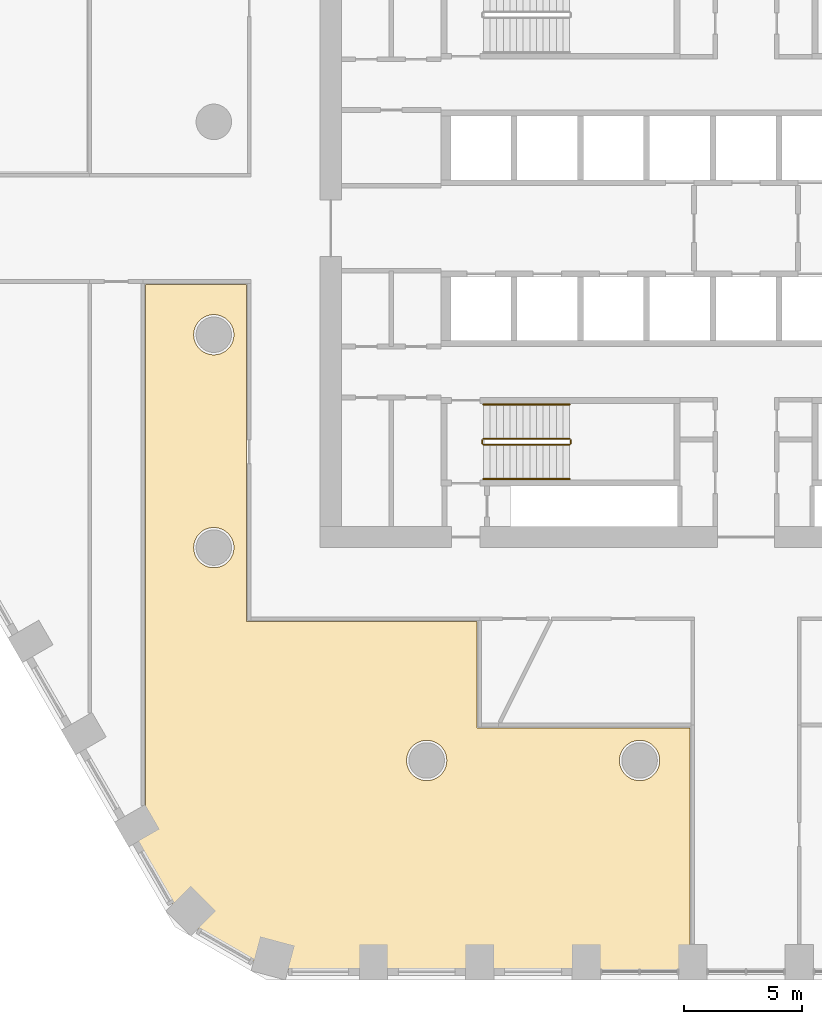
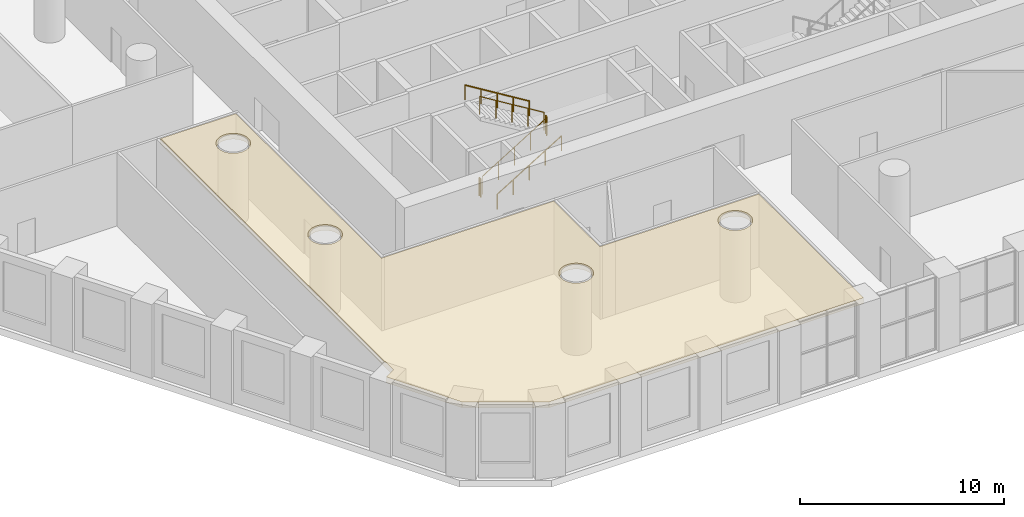
# One storey, part 16 of 21: 6 railings, 1 covering.
"""IFC4 building model written with IfcOpenShell, lengths in metres."""

from ifc_helpers import new_model, si_unit, direction, frame, origin, origin_2d, place, context, subcontext, project, spatial, polyline, circle, outline, extrude, material, layer, layer_set, type_object, element, save


model = new_model("IFC4")

# Units and contexts
model_context = context("Model", 3, precision=1e-05, world=origin(), true_north=direction((0.0, 1.0)))
body_context = subcontext(model_context, "Body", "Model", "MODEL_VIEW")
ifc_project = project(units=[si_unit("LENGTHUNIT", "METRE"), si_unit("AREAUNIT", "SQUARE_METRE"), si_unit("VOLUMEUNIT", "CUBIC_METRE"), si_unit("PLANEANGLEUNIT", "RADIAN"), si_unit("MASSUNIT", "GRAM", prefix="KILO")], contexts=[model_context])

# Site, building, storey
site_placement = place(None, origin())
site = spatial("IfcSite", under=ifc_project, at=site_placement, CompositionType="ELEMENT")
building_placement = place(site_placement, origin())
building = spatial("IfcBuilding", under=site, at=building_placement, Name="Dhurran Vertical Campus", CompositionType="ELEMENT")
storey_placement = place(building_placement, frame((0.0, 0.0, 20.39990234375)))
storey = spatial("IfcBuildingStorey", under=building, at=storey_placement, Name="L04", CompositionType="ELEMENT", Elevation=20.39990234375)

# Railings
ifc_material_1 = material(Name="Stainless steel balustrade", Category="steel")
railing_type_1 = type_object("IfcRailingType", Name="co-RL-GUARD-1100", PredefinedType="GUARDRAIL", material=ifc_material_1)
railing_1_placement = place(storey_placement, frame((-11.10009765625, -9.14990234375, 0.171630859375)))
element("IfcRailing", 1, at=railing_1_placement, inside=storey, type_object=railing_type_1, Name="L04 ST3 stair guard 1", PredefinedType="GUARDRAIL", context=body_context, shape_type="SweptSolid", body=[
    extrude(circle(Radius=0.02392578125, at=origin_2d()), frame((0.0, 0.0, 1.076171875), z_axis=(0.852865859571, 0.0, 0.52213008492), x_axis=(0.0, 1.0, 0.0)), (0.0, 0.0, 1.0), 4.26806640625),
    extrude(circle(Radius=0.02099609375, at=origin_2d()), origin(), (0.0, 0.0, 1.0), 1.052001953125),
    extrude(circle(Radius=0.02099609375, at=origin_2d()), frame((0.91015625, 0.0, 0.55712890625)), (0.0, 0.0, 1.0), 1.052001953125),
    extrude(circle(Radius=0.02099609375, at=origin_2d()), frame((1.820068359375, 0.0, 1.1142578125)), (0.0, 0.0, 1.0), 1.052001953125),
    extrude(circle(Radius=0.02099609375, at=origin_2d()), frame((2.72998046875, 0.0, 1.67138671875)), (0.0, 0.0, 1.0), 1.052001953125),
    extrude(circle(Radius=0.02099609375, at=origin_2d()), frame((3.64013671875, 0.0, 2.228515625)), (0.0, 0.0, 1.0), 1.052001953125),
])
railing_2_placement = place(storey_placement, frame((-7.409912109375, -9.10009765625, 2.400146484375)))
element("IfcRailing", 2, at=railing_2_placement, inside=storey, type_object=railing_type_1, Name="L04 ST3 stair guard 2", PredefinedType="GUARDRAIL", context=body_context, shape_type="SweptSolid", body=[
    extrude(circle(Radius=0.02392578125, at=origin_2d()), frame((0.0, 0.0, 1.076171875), z_axis=(0.0, 1.0, 0.0), x_axis=(-1.0, 0.0, 0.0)), (0.0, 0.0, 1.0), 0.150146484375),
    extrude(circle(Radius=0.02099609375, at=origin_2d()), origin(), (0.0, 0.0, 1.0), 1.052001953125),
    extrude(circle(Radius=0.02099609375, at=origin_2d()), frame((0.0, 0.150146484375, 0.0)), (0.0, 0.0, 1.0), 1.052001953125),
])
railing_3_placement = place(storey_placement, frame((-7.4599609375, -8.89990234375, 2.571533203125)))
element("IfcRailing", 3, at=railing_3_placement, inside=storey, type_object=railing_type_1, Name="L04 ST3 stair guard 3", PredefinedType="GUARDRAIL", context=body_context, shape_type="SweptSolid", body=[
    extrude(circle(Radius=0.02392578125, at=origin_2d()), frame((0.0, 0.0, 1.076171875), z_axis=(-0.852865859571, 0.0, 0.52213008492), x_axis=(0.0, -1.0, 0.0)), (0.0, 0.0, 1.0), 4.26806640625),
    extrude(circle(Radius=0.02099609375, at=origin_2d()), origin(), (0.0, 0.0, 1.0), 1.052001953125),
    extrude(circle(Radius=0.02099609375, at=origin_2d()), frame((-0.91015625, 0.0, 0.55712890625)), (0.0, 0.0, 1.0), 1.052001953125),
    extrude(circle(Radius=0.02099609375, at=origin_2d()), frame((-1.820068359375, 0.0, 1.1142578125)), (0.0, 0.0, 1.0), 1.052001953125),
    extrude(circle(Radius=0.02099609375, at=origin_2d()), frame((-2.72998046875, 0.0, 1.67138671875)), (0.0, 0.0, 1.0), 1.052001953125),
    extrude(circle(Radius=0.02099609375, at=origin_2d()), frame((-3.64013671875, 0.0, 2.228515625)), (0.0, 0.0, 1.0), 1.052001953125),
])
railing_4_placement = place(storey_placement, frame((-11.14990234375, -9.10009765625, 0.0)))
element("IfcRailing", 4, at=railing_4_placement, inside=storey, type_object=railing_type_1, Name="L04 ST3 stair guard 4", PredefinedType="GUARDRAIL", context=body_context, shape_type="SweptSolid", body=[
    extrude(circle(Radius=0.02392578125, at=origin_2d()), frame((0.0, 0.0, 1.076171875), z_axis=(0.0, 1.0, 0.0), x_axis=(-1.0, 0.0, 0.0)), (0.0, 0.0, 1.0), 0.150146484375),
    extrude(circle(Radius=0.02099609375, at=origin_2d()), origin(), (0.0, 0.0, 1.0), 1.052001953125),
    extrude(circle(Radius=0.02099609375, at=origin_2d()), frame((0.0, 0.150146484375, 0.0)), (0.0, 0.0, 1.0), 1.052001953125),
])
ifc_material_2 = material(Name="Stainless steel handrail", Category="steel")
railing_type_2 = type_object("IfcRailingType", Name="co-RL-HANDRAIL-900", PredefinedType="HANDRAIL", material=ifc_material_2)
railing_5_placement = place(storey_placement, frame((-11.10009765625, -10.60009765625, 0.171630859375)))
element("IfcRailing", 5, at=railing_5_placement, inside=storey, type_object=railing_type_2, Name="L04 ST3 stair handrail 1", PredefinedType="HANDRAIL", context=body_context, shape_type="SweptSolid", body=[
    extrude(circle(Radius=0.02392578125, at=origin_2d()), frame((0.0, 0.0, 0.8759765625), z_axis=(0.852865859571, 0.0, 0.52213008492), x_axis=(0.0, 1.0, 0.0)), (0.0, 0.0, 1.0), 4.26806640625),
    extrude(circle(Radius=0.02099609375, at=origin_2d()), origin(), (0.0, 0.0, 1.0), 0.851806640625),
    extrude(circle(Radius=0.02099609375, at=origin_2d()), frame((0.91015625, 0.0, 0.55712890625)), (0.0, 0.0, 1.0), 0.851806640625),
    extrude(circle(Radius=0.02099609375, at=origin_2d()), frame((1.820068359375, 0.0, 1.1142578125)), (0.0, 0.0, 1.0), 0.851806640625),
    extrude(circle(Radius=0.02099609375, at=origin_2d()), frame((2.72998046875, 0.0, 1.67138671875)), (0.0, 0.0, 1.0), 0.851806640625),
    extrude(circle(Radius=0.02099609375, at=origin_2d()), frame((3.64013671875, 0.0, 2.228515625)), (0.0, 0.0, 1.0), 0.851806640625),
])
railing_6_placement = place(storey_placement, frame((-7.4599609375, -7.449951171875, 2.571533203125)))
element("IfcRailing", 6, at=railing_6_placement, inside=storey, type_object=railing_type_2, Name="L04 ST3 stair handrail 2", PredefinedType="HANDRAIL", context=body_context, shape_type="SweptSolid", body=[
    extrude(circle(Radius=0.02392578125, at=origin_2d()), frame((0.0, 0.0, 0.8759765625), z_axis=(-0.852865859571, 0.0, 0.52213008492), x_axis=(0.0, -1.0, 0.0)), (0.0, 0.0, 1.0), 4.26806640625),
    extrude(circle(Radius=0.02099609375, at=origin_2d()), origin(), (0.0, 0.0, 1.0), 0.851806640625),
    extrude(circle(Radius=0.02099609375, at=origin_2d()), frame((-0.91015625, 0.0, 0.55712890625)), (0.0, 0.0, 1.0), 0.851806640625),
    extrude(circle(Radius=0.02099609375, at=origin_2d()), frame((-1.820068359375, 0.0, 1.1142578125)), (0.0, 0.0, 1.0), 0.851806640625),
    extrude(circle(Radius=0.02099609375, at=origin_2d()), frame((-2.72998046875, 0.0, 1.67138671875)), (0.0, 0.0, 1.0), 0.851806640625),
    extrude(circle(Radius=0.02099609375, at=origin_2d()), frame((-3.64013671875, 0.0, 2.228515625)), (0.0, 0.0, 1.0), 0.851806640625),
])

# Covering
ifc_material_3 = material(Name="Mineral fibre ceiling tiles on suspended grid")
ifc_layer = layer(ifc_material_3, 0.35009765625)
ifc_layer_set = layer_set([ifc_layer], Name="Mineral fibre ceiling tiles on suspended grid")
covering_type = type_object("IfcCoveringType", Name="fl-CE-350 suspended ceiling", PredefinedType="CEILING", material=ifc_layer_set)
covering_placement = place(storey_placement, frame((0.0, 0.0, 4.050048828125)))
element("IfcCovering", 7, at=covering_placement, inside=storey, type_object=covering_type, Name="Ceiling 04-08", PredefinedType="CEILING", context=body_context, shape_type="SweptSolid", body=[
    extrude(outline(polyline([(-11.3701171875, -16.6201171875), (-11.3701171875, -21.1201171875), (-2.3701171875, -21.1201171875), (-2.3701171875, -31.360107421875), (-20.137939453125, -31.360107421875), (-23.839111328125, -29.221923828125), (-25.39599609375, -26.52587890625), (-25.972900390625, -25.527099609375), (-25.3798828125, -25.18408203125), (-25.3798828125, -2.3701171875), (-21.1201171875, -2.3701171875), (-21.1201171875, -16.6201171875), (-11.3701171875, -16.6201171875)]), holes=[polyline([(-22.5, -12.64990234375), (-22.5830078125, -12.654052734375), (-22.666015625, -12.666015625), (-22.7470703125, -12.68701171875), (-22.824951171875, -12.715087890625), (-22.90087890625, -12.75), (-22.971923828125, -12.79296875), (-23.0390625, -12.843017578125), (-23.10107421875, -12.89892578125), (-23.156982421875, -12.9609375), (-23.20703125, -13.028076171875), (-23.25, -13.09912109375), (-23.284912109375, -13.175048828125), (-23.31298828125, -13.2529296875), (-23.333984375, -13.333984375), (-23.345947265625, -13.4169921875), (-23.35009765625, -13.5), (-23.345947265625, -13.5830078125), (-23.333984375, -13.666015625), (-23.31298828125, -13.7470703125), (-23.284912109375, -13.824951171875), (-23.25, -13.90087890625), (-23.20703125, -13.971923828125), (-23.156982421875, -14.0390625), (-23.10107421875, -14.10107421875), (-23.0390625, -14.156982421875), (-22.971923828125, -14.20703125), (-22.90087890625, -14.25), (-22.824951171875, -14.284912109375), (-22.7470703125, -14.31298828125), (-22.666015625, -14.333984375), (-22.5830078125, -14.345947265625), (-22.5, -14.35009765625), (-22.4169921875, -14.345947265625), (-22.333984375, -14.333984375), (-22.2529296875, -14.31298828125), (-22.175048828125, -14.284912109375), (-22.09912109375, -14.25), (-22.028076171875, -14.20703125), (-21.9609375, -14.156982421875), (-21.89892578125, -14.10107421875), (-21.843017578125, -14.0390625), (-21.79296875, -13.971923828125), (-21.75, -13.90087890625), (-21.715087890625, -13.824951171875), (-21.68701171875, -13.7470703125), (-21.666015625, -13.666015625), (-21.654052734375, -13.5830078125), (-21.64990234375, -13.5), (-21.654052734375, -13.4169921875), (-21.666015625, -13.333984375), (-21.68701171875, -13.2529296875), (-21.715087890625, -13.175048828125), (-21.75, -13.09912109375), (-21.79296875, -13.028076171875), (-21.843017578125, -12.9609375), (-21.89892578125, -12.89892578125), (-21.9609375, -12.843017578125), (-22.028076171875, -12.79296875), (-22.09912109375, -12.75), (-22.175048828125, -12.715087890625), (-22.2529296875, -12.68701171875), (-22.333984375, -12.666015625), (-22.4169921875, -12.654052734375), (-22.5, -12.64990234375)]), polyline([(-22.4169921875, -3.654052734375), (-22.5, -3.64990234375), (-22.5830078125, -3.654052734375), (-22.666015625, -3.666015625), (-22.7470703125, -3.68701171875), (-22.824951171875, -3.715087890625), (-22.90087890625, -3.75), (-22.971923828125, -3.79296875), (-23.0390625, -3.843017578125), (-23.10107421875, -3.89892578125), (-23.156982421875, -3.9609375), (-23.20703125, -4.028076171875), (-23.25, -4.09912109375), (-23.284912109375, -4.175048828125), (-23.31298828125, -4.2529296875), (-23.333984375, -4.333984375), (-23.345947265625, -4.4169921875), (-23.35009765625, -4.5), (-23.345947265625, -4.5830078125), (-23.333984375, -4.666015625), (-23.31298828125, -4.7470703125), (-23.284912109375, -4.824951171875), (-23.25, -4.90087890625), (-23.20703125, -4.971923828125), (-23.156982421875, -5.0390625), (-23.10107421875, -5.10107421875), (-23.0390625, -5.156982421875), (-22.971923828125, -5.20703125), (-22.90087890625, -5.25), (-22.824951171875, -5.284912109375), (-22.7470703125, -5.31298828125), (-22.666015625, -5.333984375), (-22.5830078125, -5.345947265625), (-22.5, -5.35009765625), (-22.4169921875, -5.345947265625), (-22.333984375, -5.333984375), (-22.2529296875, -5.31298828125), (-22.175048828125, -5.284912109375), (-22.09912109375, -5.25), (-22.028076171875, -5.20703125), (-21.9609375, -5.156982421875), (-21.89892578125, -5.10107421875), (-21.843017578125, -5.0390625), (-21.79296875, -4.971923828125), (-21.75, -4.90087890625), (-21.715087890625, -4.824951171875), (-21.68701171875, -4.7470703125), (-21.666015625, -4.666015625), (-21.654052734375, -4.5830078125), (-21.64990234375, -4.5), (-21.654052734375, -4.4169921875), (-21.666015625, -4.333984375), (-21.68701171875, -4.2529296875), (-21.715087890625, -4.175048828125), (-21.75, -4.09912109375), (-21.79296875, -4.028076171875), (-21.843017578125, -3.9609375), (-21.89892578125, -3.89892578125), (-21.9609375, -3.843017578125), (-22.028076171875, -3.79296875), (-22.09912109375, -3.75), (-22.175048828125, -3.715087890625), (-22.2529296875, -3.68701171875), (-22.333984375, -3.666015625), (-22.4169921875, -3.654052734375)]), polyline([(-13.175048828125, -21.715087890625), (-13.2529296875, -21.68701171875), (-13.333984375, -21.666015625), (-13.4169921875, -21.654052734375), (-13.5, -21.64990234375), (-13.5830078125, -21.654052734375), (-13.666015625, -21.666015625), (-13.7470703125, -21.68701171875), (-13.824951171875, -21.715087890625), (-13.90087890625, -21.75), (-13.971923828125, -21.79296875), (-14.0390625, -21.843017578125), (-14.10107421875, -21.89892578125), (-14.156982421875, -21.9609375), (-14.20703125, -22.028076171875), (-14.25, -22.09912109375), (-14.284912109375, -22.175048828125), (-14.31298828125, -22.2529296875), (-14.333984375, -22.333984375), (-14.345947265625, -22.4169921875), (-14.35009765625, -22.5), (-14.345947265625, -22.5830078125), (-14.333984375, -22.666015625), (-14.31298828125, -22.7470703125), (-14.284912109375, -22.824951171875), (-14.25, -22.90087890625), (-14.20703125, -22.971923828125), (-14.156982421875, -23.0390625), (-14.10107421875, -23.10107421875), (-14.0390625, -23.156982421875), (-13.971923828125, -23.20703125), (-13.90087890625, -23.25), (-13.824951171875, -23.284912109375), (-13.7470703125, -23.31298828125), (-13.666015625, -23.333984375), (-13.5830078125, -23.345947265625), (-13.5, -23.35009765625), (-13.4169921875, -23.345947265625), (-13.333984375, -23.333984375), (-13.2529296875, -23.31298828125), (-13.175048828125, -23.284912109375), (-13.09912109375, -23.25), (-13.028076171875, -23.20703125), (-12.9609375, -23.156982421875), (-12.89892578125, -23.10107421875), (-12.843017578125, -23.0390625), (-12.79296875, -22.971923828125), (-12.75, -22.90087890625), (-12.715087890625, -22.824951171875), (-12.68701171875, -22.7470703125), (-12.666015625, -22.666015625), (-12.654052734375, -22.5830078125), (-12.64990234375, -22.5), (-12.654052734375, -22.4169921875), (-12.666015625, -22.333984375), (-12.68701171875, -22.2529296875), (-12.715087890625, -22.175048828125), (-12.75, -22.09912109375), (-12.79296875, -22.028076171875), (-12.843017578125, -21.9609375), (-12.89892578125, -21.89892578125), (-12.9609375, -21.843017578125), (-13.028076171875, -21.79296875), (-13.09912109375, -21.75), (-13.175048828125, -21.715087890625)]), polyline([(-4.028076171875, -21.79296875), (-4.09912109375, -21.75), (-4.175048828125, -21.715087890625), (-4.2529296875, -21.68701171875), (-4.333984375, -21.666015625), (-4.4169921875, -21.654052734375), (-4.5, -21.64990234375), (-4.5830078125, -21.654052734375), (-4.666015625, -21.666015625), (-4.7470703125, -21.68701171875), (-4.824951171875, -21.715087890625), (-4.90087890625, -21.75), (-4.971923828125, -21.79296875), (-5.0390625, -21.843017578125), (-5.10107421875, -21.89892578125), (-5.156982421875, -21.9609375), (-5.20703125, -22.028076171875), (-5.25, -22.09912109375), (-5.284912109375, -22.175048828125), (-5.31298828125, -22.2529296875), (-5.333984375, -22.333984375), (-5.345947265625, -22.4169921875), (-5.35009765625, -22.5), (-5.345947265625, -22.5830078125), (-5.333984375, -22.666015625), (-5.31298828125, -22.7470703125), (-5.284912109375, -22.824951171875), (-5.25, -22.90087890625), (-5.20703125, -22.971923828125), (-5.156982421875, -23.0390625), (-5.10107421875, -23.10107421875), (-5.0390625, -23.156982421875), (-4.971923828125, -23.20703125), (-4.90087890625, -23.25), (-4.824951171875, -23.284912109375), (-4.7470703125, -23.31298828125), (-4.666015625, -23.333984375), (-4.5830078125, -23.345947265625), (-4.5, -23.35009765625), (-4.4169921875, -23.345947265625), (-4.333984375, -23.333984375), (-4.2529296875, -23.31298828125), (-4.175048828125, -23.284912109375), (-4.09912109375, -23.25), (-4.028076171875, -23.20703125), (-3.9609375, -23.156982421875), (-3.89892578125, -23.10107421875), (-3.843017578125, -23.0390625), (-3.79296875, -22.971923828125), (-3.75, -22.90087890625), (-3.715087890625, -22.824951171875), (-3.68701171875, -22.7470703125), (-3.666015625, -22.666015625), (-3.654052734375, -22.5830078125), (-3.64990234375, -22.5), (-3.654052734375, -22.4169921875), (-3.666015625, -22.333984375), (-3.68701171875, -22.2529296875), (-3.715087890625, -22.175048828125), (-3.75, -22.09912109375), (-3.79296875, -22.028076171875), (-3.843017578125, -21.9609375), (-3.89892578125, -21.89892578125), (-3.9609375, -21.843017578125), (-4.028076171875, -21.79296875)])]), origin(), (0.0, 0.0, 1.0), 0.35009765625),
])

save(model, "model.ifc")
